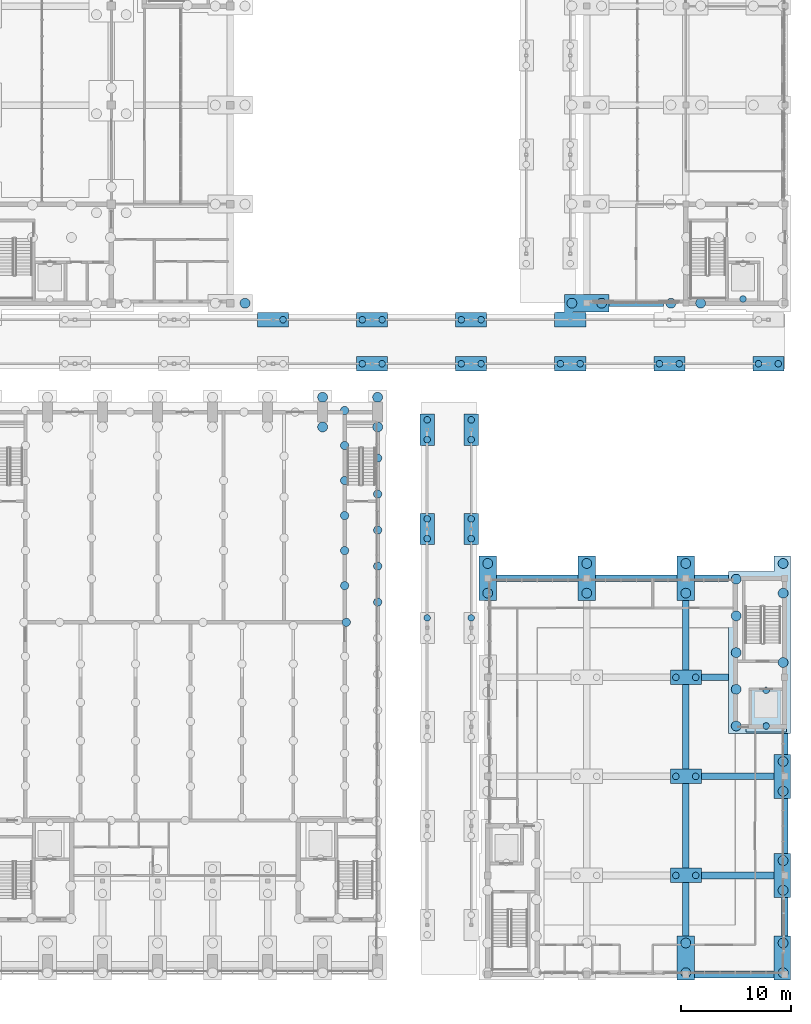
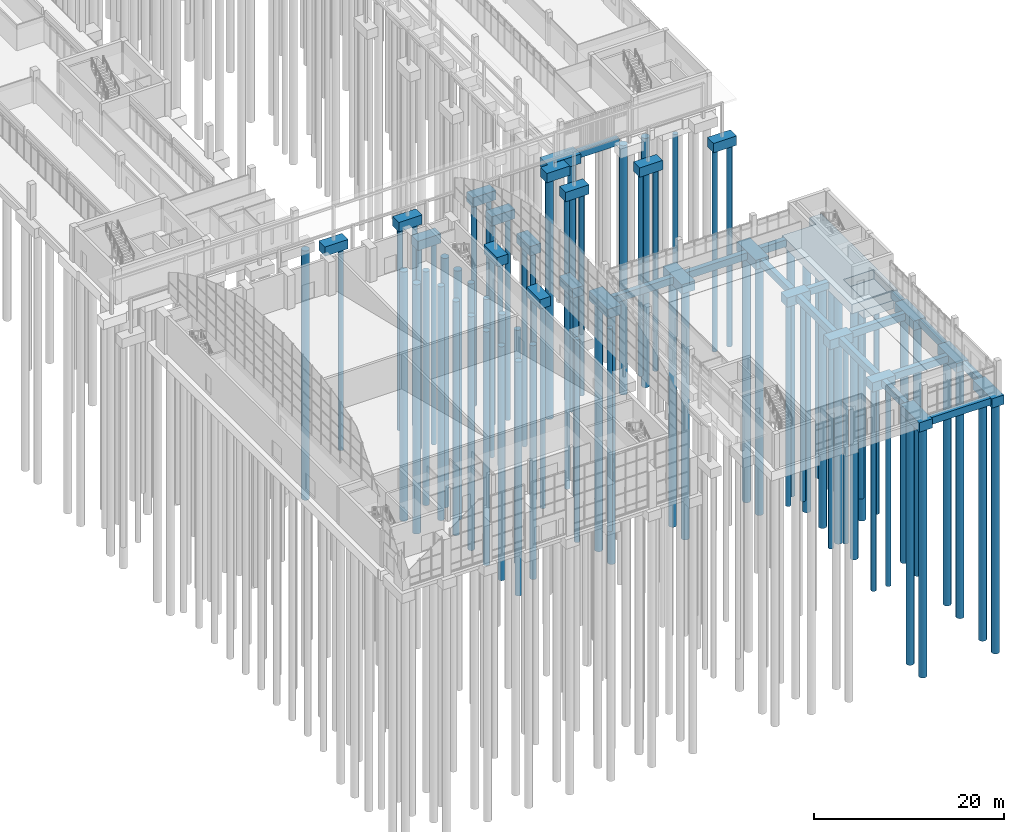
# One storey, part 3 of 106: 77 piles, 40 footings.
"""IFC4 building model written with IfcOpenShell, lengths in metres."""

import ifcopenshell
import ifcopenshell.guid

model = None  # the IFC model being written
_history = None  # IfcOwnerHistory: only IFC2X3 demands one
_inside = {}  # id of a spatial element -> (the spatial element, [elements in it])
_under = {}  # id of a project, library or spatial element -> (it, [spatial elements below it])
_declared = {}  # id of a project -> (the project, [libraries it declares])
_typed = {}  # id of a type object -> (the type object, [elements of that type])
_made_of = {}  # id of a material, layer set ... -> (it, [elements and type objects made of it])


def new_model(schema):
    """Start an empty IFC model of exactly this schema.

    Asked for "IFC4X3", IfcOpenShell would pick the latest addendum, in which some entities
    have other attributes; the version numbers below select the first issue.
    IFC2X3 requires an IfcOwnerHistory on every rooted entity: one is made here for all.
    """
    global model, _history
    if schema == "IFC4X3":
        model = ifcopenshell.file(schema_version=(4, 3, 0, 0))
    else:
        model = ifcopenshell.file(schema=schema)
    _inside.clear()
    _under.clear()
    _declared.clear()
    _typed.clear()
    _made_of.clear()
    _history = None
    if model.schema == "IFC2X3":
        org = make("IfcOrganization", Name="unknown")
        user = make(
            "IfcPersonAndOrganization",
            ThePerson=make("IfcPerson", FamilyName="unknown"),
            TheOrganization=org,
        )
        app = make(
            "IfcApplication",
            ApplicationDeveloper=org,
            Version="unknown",
            ApplicationFullName="unknown",
            ApplicationIdentifier="unknown",
        )
        _history = make(
            "IfcOwnerHistory",
            OwningUser=user,
            OwningApplication=app,
            ChangeAction="ADDED",
            CreationDate=0,
        )
    return model


def make(cls, **values):
    """One entity of the class cls with the attributes given. An attribute that is None is left unset."""
    return model.create_entity(
        cls, **{name: value for name, value in values.items() if value is not None}
    )


def rooted(cls, **values):
    """An entity with a GlobalId (a new one), such as an element, a storey or a relation."""
    return make(cls, GlobalId=ifcopenshell.guid.new(), OwnerHistory=_history, **values)


def si_unit(unit_type, name, prefix=None):
    """IfcSIUnit, for example si_unit("LENGTHUNIT", "METRE", prefix="MILLI")."""
    return make("IfcSIUnit", UnitType=unit_type, Prefix=prefix, Name=name)


def assignment(units):
    """IfcUnitAssignment: the units of a project."""
    return None if units is None else make("IfcUnitAssignment", Units=units)


def point(xyz):
    """IfcCartesianPoint."""
    return None if xyz is None else make("IfcCartesianPoint", Coordinates=xyz)


def direction(xyz):
    """IfcDirection."""
    return None if xyz is None else make("IfcDirection", DirectionRatios=xyz)


def frame(location, z_axis=None, x_axis=None):
    """IfcAxis2Placement3D, a coordinate frame: its origin and axes. An axis left out is left unset."""
    return make(
        "IfcAxis2Placement3D",
        Location=point(location),
        Axis=direction(z_axis),
        RefDirection=direction(x_axis),
    )


def frame_2d(location, x_axis=None):
    """IfcAxis2Placement2D, a coordinate frame in the plane: its origin and x axis."""
    return make(
        "IfcAxis2Placement2D", Location=point(location), RefDirection=direction(x_axis)
    )


def origin():
    """The frame at (0, 0, 0) with its axes left unset."""
    return frame((0.0, 0.0, 0.0))


def origin_2d():
    """The frame at (0, 0) in the plane with its x axis left unset."""
    return frame_2d((0.0, 0.0))


def place(relative_to, where):
    """IfcLocalPlacement: puts the frame where relative to a parent placement (None: the world)."""
    return make(
        "IfcLocalPlacement", PlacementRelTo=relative_to, RelativePlacement=where
    )


def context(
    kind, dimensions, precision=None, world=None, true_north=None, identifier=None
):
    """IfcGeometricRepresentationContext, for example the 3D "Model" context."""
    return make(
        "IfcGeometricRepresentationContext",
        ContextIdentifier=identifier,
        ContextType=kind,
        CoordinateSpaceDimension=dimensions,
        Precision=precision,
        WorldCoordinateSystem=world,
        TrueNorth=true_north,
    )


def subcontext(parent, identifier, kind, view, scale=None):
    """IfcGeometricRepresentationSubContext, for example "Body" below "Model"."""
    return make(
        "IfcGeometricRepresentationSubContext",
        ContextIdentifier=identifier,
        ContextType=kind,
        ParentContext=parent,
        TargetScale=scale,
        TargetView=view,
    )


def project(units=None, contexts=None):
    """IfcProject with its units and contexts."""
    return rooted(
        "IfcProject",
        Name="project",
        RepresentationContexts=contexts,
        UnitsInContext=assignment(units),
    )


def spatial(cls, under=None, at=None, **own):
    """A site, building, storey or space (cls), placed at a placement, below another one or the project."""
    s = rooted(cls, ObjectPlacement=at, **own)
    if under is not None:
        _under.setdefault(under.id(), (under, []))[1].append(s)
    return s


def polyline(points):
    """IfcPolyline through the points."""
    return make("IfcPolyline", Points=[point(p) for p in points])


def profile(cls, at=None, kind="AREA", **sizes):
    """A parametric profile (cls). Its sizes go by their IFC names, for example OverallWidth=200.0."""
    return make(cls, ProfileType=kind, Position=at, **sizes)


def circle(**sizes):
    """IfcCircleProfileDef."""
    return profile("IfcCircleProfileDef", **sizes)


def outline(outer, holes=None, kind="AREA"):
    """IfcArbitraryClosedProfileDef: a profile drawn as a closed curve; with holes, ...WithVoids."""
    if holes is None:
        return make("IfcArbitraryClosedProfileDef", ProfileType=kind, OuterCurve=outer)
    return make(
        "IfcArbitraryProfileDefWithVoids",
        ProfileType=kind,
        OuterCurve=outer,
        InnerCurves=holes,
    )


def extrude(swept, where, along, depth):
    """IfcExtrudedAreaSolid: the profile swept, set in the frame where, extruded along a direction by depth."""
    return make(
        "IfcExtrudedAreaSolid",
        SweptArea=swept,
        Position=where,
        ExtrudedDirection=direction(along),
        Depth=depth,
    )


def shape(context_of_items, identifier, shape_type, items):
    """IfcShapeRepresentation: the items that make up one representation, for example the "Body"."""
    return make(
        "IfcShapeRepresentation",
        ContextOfItems=context_of_items,
        RepresentationIdentifier=identifier,
        RepresentationType=shape_type,
        Items=items,
    )


def material(Name=None, Category=None):
    """IfcMaterial."""
    return make("IfcMaterial", Name=Name, Category=Category)


def material_profile(
    of_material, cross_section, Name=None, Category=None, Priority=None
):
    """IfcMaterialProfile: a cross section and its material."""
    return make(
        "IfcMaterialProfile",
        Name=Name,
        Material=of_material,
        Profile=cross_section,
        Priority=Priority,
        Category=Category,
    )


def profile_set(profiles, Name=None, composite=None):
    """IfcMaterialProfileSet."""
    return make(
        "IfcMaterialProfileSet",
        Name=Name,
        MaterialProfiles=profiles,
        CompositeProfile=composite,
    )


def made_of(thing, what):
    """Note that an element or type object is made of a material, layer set ...; save() writes the relation."""
    if what is not None:
        _made_of.setdefault(what.id(), (what, []))[1].append(thing)
    return thing


def type_object(cls, material=None, **own):
    """A type object (cls), such as IfcWallType, which elements share."""
    return made_of(rooted(cls, **own), material)


def element(
    cls,
    number,
    at=None,
    inside=None,
    cuts=None,
    type_object=None,
    material=None,
    context=None,
    identifier="Body",
    shape_type=None,
    held_by="IfcProductDefinitionShape",
    body=None,
    shapes=None,
    **own,
):
    """One element of the class cls, such as IfcWall. Its Tag is "e" and its number.

    at: its placement. inside: the storey or other place that contains it. cuts: it is an
    opening in that element (IfcRelVoidsElement). A single representation is given by context,
    identifier, shape_type and body (its items); several are given by shapes. held_by: the class
    of the entity that holds the representations. save() writes the other relations.
    """
    e = rooted(cls, Tag="e%d" % number, ObjectPlacement=at, **own)
    if body is not None:
        shapes = [shape(context, identifier, shape_type, body)]
    if shapes is not None:
        e.Representation = make(held_by, Representations=shapes)
    if inside is not None:
        _inside.setdefault(inside.id(), (inside, []))[1].append(e)
    if cuts is not None:
        rooted(
            "IfcRelVoidsElement", RelatingBuildingElement=cuts, RelatedOpeningElement=e
        )
    if type_object is not None:
        _typed.setdefault(type_object.id(), (type_object, []))[1].append(e)
    return made_of(e, material)


def aggregate(whole, parts):
    """IfcRelAggregates: a whole, such as a stair, and the parts it consists of."""
    return rooted("IfcRelAggregates", RelatingObject=whole, RelatedObjects=parts)


def save(model, path):
    """Write the relations noted so far, then the file.

    IfcRelAggregates (storeys below a building ...), IfcRelContainedInSpatialStructure (elements
    in a storey), IfcRelDefinesByType, IfcRelAssociatesMaterial and IfcRelDeclares: one each for
    every whole, place, type object, material and project.
    """
    for whole, parts in _under.values():
        aggregate(whole, parts)
    for where, things in _inside.values():
        rooted(
            "IfcRelContainedInSpatialStructure",
            RelatedElements=things,
            RelatingStructure=where,
        )
    for kind, things in _typed.values():
        rooted("IfcRelDefinesByType", RelatedObjects=things, RelatingType=kind)
    for what, things in _made_of.values():
        rooted("IfcRelAssociatesMaterial", RelatedObjects=things, RelatingMaterial=what)
    for by, libraries in _declared.values():
        rooted("IfcRelDeclares", RelatingContext=by, RelatedDefinitions=libraries)
    model.write(path)


model = new_model("IFC4")

# Units and contexts
model_context = context("Model", 3, precision=1e-05, world=origin(), true_north=direction((0.0, 1.0)))
body_context = subcontext(model_context, "Body", "Model", "MODEL_VIEW")
ifc_project = project(units=[si_unit("LENGTHUNIT", "METRE"), si_unit("AREAUNIT", "SQUARE_METRE"), si_unit("VOLUMEUNIT", "CUBIC_METRE"), si_unit("PLANEANGLEUNIT", "RADIAN"), si_unit("MASSUNIT", "GRAM", prefix="KILO")], contexts=[model_context])

# Site, building, storey
site_placement = place(None, origin())
site = spatial("IfcSite", under=ifc_project, at=site_placement, CompositionType="ELEMENT")
building_placement = place(site_placement, origin())
building = spatial("IfcBuilding", under=site, at=building_placement, Name="Merrow Basin Faculty of Sciences", CompositionType="ELEMENT")
storey_placement = place(building_placement, origin())
storey = spatial("IfcBuildingStorey", under=building, at=storey_placement, Name="L00", CompositionType="ELEMENT", Elevation=0.0)

# Piles
ifc_material_1 = material(Name="Concrete C40/50", Category="concrete")
ifc_material_profile_1 = material_profile(ifc_material_1, circle(Radius=0.300048828125, at=origin_2d()))
ifc_profile_set_1 = profile_set([ifc_material_profile_1], Name="Concrete C40/50")
pile_type_1 = type_object("IfcPileType", Name="Bored pile 600 Concrete C40/50", PredefinedType="BORED", material=ifc_profile_set_1)
for number, where, z_axis, x_axis, name in (
    (1, (26.39990234375, 59.5, -1.39990234375), (0.0, 0.0, -1.0), (1.0, 0.0, 0.0), "BP 223"),
    (2, (33.60009765625, 55.5, -1.39990234375), (0.0, 0.0, -1.0), (1.0, 0.0, 0.0), "BP 270"),
    (3, (33.60009765625, 59.5, -1.39990234375), (0.0, 0.0, -1.0), (1.0, 0.0, 0.0), "BP 271"),
    (4, (35.39990234375, 55.5, -1.39990234375), (0.0, 0.0, -1.0), (1.0, 0.0, 0.0), "BP 296"),
    (5, (35.39990234375, 59.5, -1.39990234375), (0.0, 0.0, -1.0), (1.0, 0.0, 0.0), "BP 297"),
    (6, (39.5, 32.39990234375, -1.39990234375), (0.0, 0.0, -1.0), (1.0, 0.0, 0.0), "BP 316"),
    (7, (39.5, 39.60009765625, -1.39990234375), (0.0, 0.0, -1.0), (1.0, 0.0, 0.0), "BP 317"),
    (8, (39.5, 41.39990234375, -1.39990234375), (0.0, 0.0, -1.0), (1.0, 0.0, 0.0), "BP 318"),
    (9, (39.5, 48.60009765625, -1.39990234375), (0.0, 0.0, -1.0), (1.0, 0.0, 0.0), "BP 319"),
    (10, (39.5, 50.39990234375, -1.39990234375), (0.0, 0.0, -1.0), (1.0, 0.0, 0.0), "BP 320"),
    (11, (42.60009765625, 55.5, -1.39990234375), (0.0, 0.0, -1.0), (1.0, 0.0, 0.0), "BP 321"),
    (12, (42.60009765625, 59.5, -1.39990234375), (0.0, 0.0, -1.0), (1.0, 0.0, 0.0), "BP 322"),
    (13, (43.5, 32.39990234375, -1.39990234375), (0.0, 0.0, -1.0), (1.0, 0.0, 0.0), "BP 333"),
    (14, (43.5, 39.60009765625, -1.39990234375), (0.0, 0.0, -1.0), (1.0, 0.0, 0.0), "BP 334"),
    (15, (43.5, 41.39990234375, -1.39990234375), (0.0, 0.0, -1.0), (1.0, 0.0, 0.0), "BP 335"),
    (16, (43.5, 48.60009765625, -1.39990234375), (0.0, 0.0, -1.0), (1.0, 0.0, 0.0), "BP 336"),
    (17, (43.5, 50.39990234375, -1.39990234375), (0.0, 0.0, -1.0), (1.0, 0.0, 0.0), "BP 337"),
    (18, (44.39990234375, 55.5, -1.39990234375), (0.0, 0.0, -1.0), (1.0, 0.0, 0.0), "BP 341"),
    (19, (44.39990234375, 59.5, -1.39990234375), (0.0, 0.0, -1.0), (1.0, 0.0, 0.0), "BP 342"),
    (20, (51.60009765625, 55.5, -1.39990234375), (0.0, 0.0, -1.0), (1.0, 0.0, 0.0), "BP 380"),
    (21, (53.39990234375, 55.5, -1.39990234375), (0.0, 0.0, -1.0), (1.0, 0.0, 0.0), "BP 411"),
    (22, (60.60009765625, 55.5, -1.39990234375), (0.0, 0.0, -1.0), (1.0, 0.0, 0.0), "BP 436"),
    (23, (62.10009765625, 9.0, -1.39990234375), (0.0, 0.0, -1.0), (1.0, 0.0, 0.0), "BP 446"),
    (24, (62.10009765625, 18.0, -1.39990234375), (0.0, 0.0, -1.0), (1.0, 0.0, 0.0), "BP 447"),
    (25, (62.10009765625, 27.0, -1.39990234375), (0.0, 0.0, -1.0), (1.0, 0.0, 0.0), "BP 448"),
    (26, (62.39990234375, 55.5, -1.39990234375), (0.0, 0.0, -1.0), (1.0, 0.0, 0.0), "BP 449"),
    (27, (63.89990234375, 9.0, -1.39990234375), (0.0, 0.0, -1.0), (1.0, 0.0, 0.0), "BP 460"),
    (28, (63.89990234375, 18.0, -1.39990234375), (0.0, 0.0, -1.0), (1.0, 0.0, 0.0), "BP 461"),
    (29, (63.89990234375, 27.0, -1.39990234375), (0.0, 0.0, -1.0), (1.0, 0.0, 0.0), "BP 462"),
    (30, (69.60009765625, 55.5, -1.39990234375), (0.0, 0.0, -1.0), (1.0, 0.0, 0.0), "BP 489"),
    (31, (71.39990234375, 55.5, -1.39990234375), (0.0, 0.0, -1.0), (1.0, 0.0, 0.0), "BP 491"),
    (32, (68.199951171875, 61.3798828125, -2.60009765625), (0.0, 0.0, -1.0), (1.0, 0.0, 0.0), "BP pit 532"),
    (33, (70.300048828125, 22.580078125, -2.60009765625), (0.0, 0.0, -1.0), (1.0, 0.0, 0.0), "BP pit 538"),
    (34, (70.300048828125, 25.820068359375, -2.60009765625), (0.0, 0.0, -1.0), (1.0, 0.0, 0.0), "BP pit 539"),
):
    element("IfcPile", number, at=place(storey_placement, frame(where, z_axis=z_axis, x_axis=x_axis)), inside=storey, type_object=pile_type_1, Name=name, PredefinedType="BORED", context=body_context, shape_type="SweptSolid", body=[
        extrude(circle(Radius=0.300048828125, at=origin_2d()), origin(), (0.0, 0.0, 1.0), 26.10009765625),
    ])
ifc_material_2 = material(Name="Concrete C40/50", Category="concrete")
ifc_material_profile_2 = material_profile(ifc_material_2, circle(Radius=0.375, at=origin_2d()))
ifc_profile_set_2 = profile_set([ifc_material_profile_2], Name="Concrete C40/50")
pile_type_2 = type_object("IfcPileType", Name="Bored pile 750 Concrete C40/50", PredefinedType="BORED", material=ifc_profile_set_2)
for number, where, z_axis, x_axis, name in (
    (35, (32.0, 35.3330078125, -1.39990234375), (0.0, 0.0, -1.0), (1.0, 0.0, 0.0), "BP 261"),
    (36, (32.0, 38.51708984375, -1.39990234375), (0.0, 0.0, -1.0), (1.0, 0.0, 0.0), "BP 262"),
    (37, (32.0, 41.699951171875, -1.39990234375), (0.0, 0.0, -1.0), (1.0, 0.0, 0.0), "BP 263"),
    (38, (32.0, 44.883056640625, -1.39990234375), (0.0, 0.0, -1.0), (1.0, 0.0, 0.0), "BP 264"),
    (39, (32.0, 48.06689453125, -1.39990234375), (0.0, 0.0, -1.0), (1.0, 0.0, 0.0), "BP 265"),
    (40, (32.0, 51.25, -1.39990234375), (0.0, 0.0, -1.0), (1.0, 0.0, 0.0), "BP 266"),
    (41, (32.14990234375, 32.0, -1.39990234375), (0.0, 0.0, -1.0), (1.0, 0.0, 0.0), "BP 267"),
    (42, (35.0, 33.8359375, -1.39990234375), (0.0, 0.0, -1.0), (1.0, 0.0, 0.0), "BP 289"),
    (43, (35.0, 37.10888671875, -1.39990234375), (0.0, 0.0, -1.0), (1.0, 0.0, 0.0), "BP 290"),
    (44, (35.0, 40.382080078125, -1.39990234375), (0.0, 0.0, -1.0), (1.0, 0.0, 0.0), "BP 291"),
    (45, (35.0, 43.655029296875, -1.39990234375), (0.0, 0.0, -1.0), (1.0, 0.0, 0.0), "BP 292"),
    (46, (35.0, 46.927001953125, -1.39990234375), (0.0, 0.0, -1.0), (1.0, 0.0, 0.0), "BP 293"),
):
    element("IfcPile", number, at=place(storey_placement, frame(where, z_axis=z_axis, x_axis=x_axis)), inside=storey, type_object=pile_type_2, Name=name, PredefinedType="BORED", context=body_context, shape_type="SweptSolid", body=[
        extrude(circle(Radius=0.375, at=origin_2d()), origin(), (0.0, 0.0, 1.0), 30.10009765625),
    ])
ifc_material_3 = material(Name="Concrete C40/50", Category="concrete")
ifc_material_profile_3 = material_profile(ifc_material_3, circle(Radius=0.449951171875, at=origin_2d()))
ifc_profile_set_3 = profile_set([ifc_material_profile_3], Name="Concrete C40/50")
pile_type_3 = type_object("IfcPileType", Name="Bored pile 900 Concrete C40/50", PredefinedType="BORED", material=ifc_profile_set_3)
for number, where, z_axis, x_axis, name in (
    (47, (22.949951171875, 61.0, -1.39990234375), (0.0, 0.0, -1.0), (1.0, 0.0, 0.0), "BP 199"),
    (48, (30.0, 49.75, -1.39990234375), (0.0, 0.0, -1.0), (1.0, 0.0, 0.0), "BP 251"),
    (49, (30.0, 52.449951171875, -1.39990234375), (0.0, 0.0, -1.0), (1.0, 0.0, 0.0), "BP 252"),
    (50, (35.0, 49.75, -1.39990234375), (0.0, 0.0, -1.0), (1.0, 0.0, 0.0), "BP 294"),
    (51, (35.0, 52.449951171875, -1.39990234375), (0.0, 0.0, -1.0), (1.0, 0.0, 0.0), "BP 295"),
    (52, (45.0, 34.64990234375, -1.39990234375), (0.0, 0.0, -1.0), (1.0, 0.0, 0.0), "BP 350"),
    (53, (45.0, 37.35009765625, -1.39990234375), (0.0, 0.0, -1.0), (1.0, 0.0, 0.0), "BP 351"),
    (54, (52.64990234375, 61.0, -1.39990234375), (0.0, 0.0, -1.0), (1.0, 0.0, 0.0), "BP 399"),
    (55, (54.0, 34.64990234375, -1.39990234375), (0.0, 0.0, -1.0), (1.0, 0.0, 0.0), "BP 418"),
    (56, (54.0, 37.35009765625, -1.39990234375), (0.0, 0.0, -1.0), (1.0, 0.0, 0.0), "BP 419"),
    (57, (55.35009765625, 61.0, -1.39990234375), (0.0, 0.0, -1.0), (1.0, 0.0, 0.0), "BP 423"),
    (58, (61.64990234375, 61.0, -1.39990234375), (0.0, 0.0, -1.0), (1.0, 0.0, 0.0), "BP 437"),
    (59, (63.0, 0.159912109375, -1.39990234375), (0.0, 0.0, -1.0), (1.0, 0.0, 0.0), "BP 450"),
    (60, (63.0, 2.860107421875, -1.39990234375), (0.0, 0.0, -1.0), (1.0, 0.0, 0.0), "BP 451"),
    (61, (63.0, 34.64990234375, -1.39990234375), (0.0, 0.0, -1.0), (1.0, 0.0, 0.0), "BP 452"),
    (62, (63.0, 37.35009765625, -1.39990234375), (0.0, 0.0, -1.0), (1.0, 0.0, 0.0), "BP 453"),
    (63, (64.35009765625, 61.0, -1.39990234375), (0.0, 0.0, -1.0), (1.0, 0.0, 0.0), "BP 463"),
    (64, (67.580078125, 22.580078125, -1.39990234375), (0.0, 0.0, -1.0), (1.0, 0.0, 0.0), "BP 475"),
    (65, (67.580078125, 25.9150390625, -1.39990234375), (0.0, 0.0, -1.0), (1.0, 0.0, 0.0), "BP 476"),
    (66, (67.580078125, 29.25, -1.39990234375), (0.0, 0.0, -1.0), (1.0, 0.0, 0.0), "BP 477"),
    (67, (67.580078125, 32.5849609375, -1.39990234375), (0.0, 0.0, -1.0), (1.0, 0.0, 0.0), "BP 478"),
    (68, (67.580078125, 35.919921875, -1.39990234375), (0.0, 0.0, -1.0), (1.0, 0.0, 0.0), "BP 479"),
    (69, (71.840087890625, 0.159912109375, -1.39990234375), (0.0, 0.0, -1.0), (1.0, 0.0, 0.0), "BP 498"),
    (70, (71.840087890625, 2.860107421875, -1.39990234375), (0.0, 0.0, -1.0), (1.0, 0.0, 0.0), "BP 499"),
    (71, (71.840087890625, 7.64990234375, -1.39990234375), (0.0, 0.0, -1.0), (1.0, 0.0, 0.0), "BP 500"),
    (72, (71.840087890625, 10.35009765625, -1.39990234375), (0.0, 0.0, -1.0), (1.0, 0.0, 0.0), "BP 501"),
    (73, (71.840087890625, 16.64990234375, -1.39990234375), (0.0, 0.0, -1.0), (1.0, 0.0, 0.0), "BP 502"),
    (74, (71.840087890625, 19.35009765625, -1.39990234375), (0.0, 0.0, -1.0), (1.0, 0.0, 0.0), "BP 503"),
    (75, (71.840087890625, 28.35009765625, -1.39990234375), (0.0, 0.0, -1.0), (1.0, 0.0, 0.0), "BP 504"),
    (76, (71.840087890625, 34.64990234375, -1.39990234375), (0.0, 0.0, -1.0), (1.0, 0.0, 0.0), "BP 505"),
    (77, (71.840087890625, 37.35009765625, -1.39990234375), (0.0, 0.0, -1.0), (1.0, 0.0, 0.0), "BP 506"),
):
    element("IfcPile", number, at=place(storey_placement, frame(where, z_axis=z_axis, x_axis=x_axis)), inside=storey, type_object=pile_type_3, Name=name, PredefinedType="BORED", context=body_context, shape_type="SweptSolid", body=[
        extrude(circle(Radius=0.449951171875, at=origin_2d()), origin(), (0.0, 0.0, 1.0), 32.10009765625),
    ])

# Footings
ifc_material_4 = material(Name="Concrete C40/50", Category="concrete")
footing_type_1 = type_object("IfcFootingType", Name="Ground beam 600x900 Concrete C40/50", PredefinedType="FOOTING_BEAM", material=ifc_material_4)
footing_1_placement = place(storey_placement, frame((0.0, 0.0, -1.199951171875)))
element("IfcFooting", 78, at=footing_1_placement, inside=storey, type_object=footing_type_1, Name="GB 032", PredefinedType="FOOTING_BEAM", context=body_context, shape_type="SweptSolid", body=[
    extrude(outline(polyline([(56.010009765625, 60.699951171875), (60.989990234375, 60.699951171875), (60.989990234375, 61.300048828125), (56.010009765625, 61.300048828125), (56.010009765625, 60.699951171875)])), origin(), (0.0, 0.0, 1.0), 0.89990234375),
])
footing_2_placement = place(storey_placement, frame((0.0, 0.0, -1.199951171875)))
element("IfcFooting", 79, at=footing_2_placement, inside=storey, type_object=footing_type_1, Name="GB 075", PredefinedType="FOOTING_BEAM", context=body_context, shape_type="SweptSolid", body=[
    extrude(outline(polyline([(63.81005859375, -0.300048828125), (71.030029296875, -0.300048828125), (71.030029296875, 0.300048828125), (63.81005859375, 0.300048828125), (63.81005859375, -0.300048828125)])), origin(), (0.0, 0.0, 1.0), 0.89990234375),
])
footing_3_placement = place(storey_placement, frame((0.0, 0.0, -1.199951171875)))
element("IfcFooting", 80, at=footing_3_placement, inside=storey, type_object=footing_type_1, Name="GB 078", PredefinedType="FOOTING_BEAM", context=body_context, shape_type="SweptSolid", body=[
    extrude(outline(polyline([(64.409912109375, 8.699951171875), (71.030029296875, 8.699951171875), (71.030029296875, 9.300048828125), (64.409912109375, 9.300048828125), (64.409912109375, 8.699951171875)])), origin(), (0.0, 0.0, 1.0), 0.89990234375),
])
footing_4_placement = place(storey_placement, frame((0.0, 0.0, -1.199951171875)))
element("IfcFooting", 81, at=footing_4_placement, inside=storey, type_object=footing_type_1, Name="GB 081", PredefinedType="FOOTING_BEAM", context=body_context, shape_type="SweptSolid", body=[
    extrude(outline(polyline([(64.409912109375, 17.699951171875), (71.030029296875, 17.699951171875), (71.030029296875, 18.300048828125), (64.409912109375, 18.300048828125), (64.409912109375, 17.699951171875)])), origin(), (0.0, 0.0, 1.0), 0.89990234375),
])
footing_5_placement = place(storey_placement, frame((0.0, 0.0, -1.199951171875)))
element("IfcFooting", 82, at=footing_5_placement, inside=storey, type_object=footing_type_1, Name="GB 084", PredefinedType="FOOTING_BEAM", context=body_context, shape_type="SweptSolid", body=[
    extrude(outline(polyline([(64.409912109375, 26.699951171875), (66.89990234375, 26.699951171875), (66.89990234375, 27.300048828125), (64.409912109375, 27.300048828125), (64.409912109375, 26.699951171875)])), origin(), (0.0, 0.0, 1.0), 0.89990234375),
])
footing_6_placement = place(storey_placement, frame((0.0, 0.0, -1.199951171875)))
element("IfcFooting", 83, at=footing_6_placement, inside=storey, type_object=footing_type_1, Name="GB 085", PredefinedType="FOOTING_BEAM", context=body_context, shape_type="SweptSolid", body=[
    extrude(outline(polyline([(45.81005859375, 35.699951171875), (53.18994140625, 35.699951171875), (53.18994140625, 36.300048828125), (45.81005859375, 36.300048828125), (45.81005859375, 35.699951171875)])), origin(), (0.0, 0.0, 1.0), 0.89990234375),
])
footing_7_placement = place(storey_placement, frame((0.0, 0.0, -1.199951171875)))
element("IfcFooting", 84, at=footing_7_placement, inside=storey, type_object=footing_type_1, Name="GB 086", PredefinedType="FOOTING_BEAM", context=body_context, shape_type="SweptSolid", body=[
    extrude(outline(polyline([(54.81005859375, 35.699951171875), (62.18994140625, 35.699951171875), (62.18994140625, 36.300048828125), (54.81005859375, 36.300048828125), (54.81005859375, 35.699951171875)])), origin(), (0.0, 0.0, 1.0), 0.89990234375),
])
footing_8_placement = place(storey_placement, frame((0.0, 0.0, -1.199951171875)))
element("IfcFooting", 85, at=footing_8_placement, inside=storey, type_object=footing_type_1, Name="GB 087", PredefinedType="FOOTING_BEAM", context=body_context, shape_type="SweptSolid", body=[
    extrude(outline(polyline([(63.81005859375, 35.699951171875), (66.89990234375, 35.699951171875), (66.89990234375, 36.300048828125), (63.81005859375, 36.300048828125), (63.81005859375, 35.699951171875)])), origin(), (0.0, 0.0, 1.0), 0.89990234375),
])
footing_9_placement = place(storey_placement, frame((0.0, 0.0, -1.199951171875)))
element("IfcFooting", 86, at=footing_9_placement, inside=storey, type_object=footing_type_1, Name="GB 095", PredefinedType="FOOTING_BEAM", context=body_context, shape_type="SweptSolid", body=[
    extrude(outline(polyline([(62.699951171875, 3.52001953125), (63.300048828125, 3.52001953125), (63.300048828125, 8.340087890625), (62.699951171875, 8.340087890625), (62.699951171875, 3.52001953125)])), origin(), (0.0, 0.0, 1.0), 0.89990234375),
])
footing_10_placement = place(storey_placement, frame((0.0, 0.0, -1.199951171875)))
element("IfcFooting", 87, at=footing_10_placement, inside=storey, type_object=footing_type_1, Name="GB 096", PredefinedType="FOOTING_BEAM", context=body_context, shape_type="SweptSolid", body=[
    extrude(outline(polyline([(62.699951171875, 9.659912109375), (63.300048828125, 9.659912109375), (63.300048828125, 17.340087890625), (62.699951171875, 17.340087890625), (62.699951171875, 9.659912109375)])), origin(), (0.0, 0.0, 1.0), 0.89990234375),
])
footing_11_placement = place(storey_placement, frame((0.0, 0.0, -1.199951171875)))
element("IfcFooting", 88, at=footing_11_placement, inside=storey, type_object=footing_type_1, Name="GB 097", PredefinedType="FOOTING_BEAM", context=body_context, shape_type="SweptSolid", body=[
    extrude(outline(polyline([(62.699951171875, 18.659912109375), (63.300048828125, 18.659912109375), (63.300048828125, 26.340087890625), (62.699951171875, 26.340087890625), (62.699951171875, 18.659912109375)])), origin(), (0.0, 0.0, 1.0), 0.89990234375),
])
footing_12_placement = place(storey_placement, frame((0.0, 0.0, -1.199951171875)))
element("IfcFooting", 89, at=footing_12_placement, inside=storey, type_object=footing_type_1, Name="GB 098", PredefinedType="FOOTING_BEAM", context=body_context, shape_type="SweptSolid", body=[
    extrude(outline(polyline([(62.699951171875, 27.659912109375), (63.300048828125, 27.659912109375), (63.300048828125, 33.989990234375), (62.699951171875, 33.989990234375), (62.699951171875, 27.659912109375)])), origin(), (0.0, 0.0, 1.0), 0.89990234375),
])
footing_13_placement = place(storey_placement, frame((0.0, 0.0, -1.199951171875)))
element("IfcFooting", 90, at=footing_13_placement, inside=storey, type_object=footing_type_1, Name="GB 099", PredefinedType="FOOTING_BEAM", context=body_context, shape_type="SweptSolid", body=[
    extrude(outline(polyline([(71.699951171875, 3.52001953125), (72.300048828125, 3.52001953125), (72.300048828125, 6.989990234375), (71.699951171875, 6.989990234375), (71.699951171875, 3.52001953125)])), origin(), (0.0, 0.0, 1.0), 0.89990234375),
])
footing_14_placement = place(storey_placement, frame((0.0, 0.0, -1.199951171875)))
element("IfcFooting", 91, at=footing_14_placement, inside=storey, type_object=footing_type_1, Name="GB 100", PredefinedType="FOOTING_BEAM", context=body_context, shape_type="SweptSolid", body=[
    extrude(outline(polyline([(71.699951171875, 11.010009765625), (72.300048828125, 11.010009765625), (72.300048828125, 15.989990234375), (71.699951171875, 15.989990234375), (71.699951171875, 11.010009765625)])), origin(), (0.0, 0.0, 1.0), 0.89990234375),
])
footing_15_placement = place(storey_placement, frame((0.0, 0.0, -1.199951171875)))
element("IfcFooting", 92, at=footing_15_placement, inside=storey, type_object=footing_type_1, Name="GB 101", PredefinedType="FOOTING_BEAM", context=body_context, shape_type="SweptSolid", body=[
    extrude(outline(polyline([(71.699951171875, 20.010009765625), (72.300048828125, 20.010009765625), (72.300048828125, 21.89990234375), (71.699951171875, 21.89990234375), (71.699951171875, 20.010009765625)])), origin(), (0.0, 0.0, 1.0), 0.89990234375),
])
ifc_material_5 = material(Name="Concrete C40/50", Category="concrete")
footing_type_2 = type_object("IfcFootingType", Name="Lift pit raft 3700x4300 Concrete C40/50", PredefinedType="PILE_CAP", material=ifc_material_5)
footing_16_placement = place(storey_placement, frame((0.0, 0.0, -2.699951171875)))
element("IfcFooting", 93, at=footing_16_placement, inside=storey, type_object=footing_type_2, Name="Lift pit raft 12", PredefinedType="PILE_CAP", context=body_context, shape_type="SweptSolid", body=[
    extrude(outline(polyline([(72.14990234375, 26.35009765625), (72.14990234375, 22.050048828125), (68.449951171875, 22.050048828125), (68.449951171875, 26.35009765625), (72.14990234375, 26.35009765625)])), origin(), (0.0, 0.0, 1.0), 1.199951171875),
])
ifc_material_6 = material(Name="Concrete C40/50", Category="concrete")
footing_type_3 = type_object("IfcFootingType", Name="Pile cap 1 piles 2820x1320 Concrete C40/50", PredefinedType="PILE_CAP", material=ifc_material_6)
footing_17_placement = place(storey_placement, frame((0.0, 0.0, -1.5)))
element("IfcFooting", 94, at=footing_17_placement, inside=storey, type_object=footing_type_3, Name="PC6 041", PredefinedType="PILE_CAP", context=body_context, shape_type="SweptSolid", body=[
    extrude(outline(polyline([(24.090087890625, 58.840087890625), (24.090087890625, 60.159912109375), (26.909912109375, 60.159912109375), (26.909912109375, 58.840087890625), (24.090087890625, 58.840087890625)])), origin(), (0.0, 0.0, 1.0), 1.199951171875),
])
ifc_material_7 = material(Name="Concrete C40/50", Category="concrete")
footing_type_4 = type_object("IfcFootingType", Name="Pile cap 2 piles 1320x2820 Concrete C40/50", PredefinedType="PILE_CAP", material=ifc_material_7)
footing_18_placement = place(storey_placement, frame((0.0, 0.0, -1.5)))
element("IfcFooting", 95, at=footing_18_placement, inside=storey, type_object=footing_type_4, Name="PC3 061", PredefinedType="PILE_CAP", context=body_context, shape_type="SweptSolid", body=[
    extrude(outline(polyline([(38.840087890625, 41.909912109375), (40.159912109375, 41.909912109375), (40.159912109375, 39.090087890625), (38.840087890625, 39.090087890625), (38.840087890625, 41.909912109375)])), origin(), (0.0, 0.0, 1.0), 1.199951171875),
])
footing_19_placement = place(storey_placement, frame((0.0, 0.0, -1.5)))
element("IfcFooting", 96, at=footing_19_placement, inside=storey, type_object=footing_type_4, Name="PC3 062", PredefinedType="PILE_CAP", context=body_context, shape_type="SweptSolid", body=[
    extrude(outline(polyline([(38.840087890625, 50.909912109375), (40.159912109375, 50.909912109375), (40.159912109375, 48.090087890625), (38.840087890625, 48.090087890625), (38.840087890625, 50.909912109375)])), origin(), (0.0, 0.0, 1.0), 1.199951171875),
])
footing_20_placement = place(storey_placement, frame((0.0, 0.0, -1.5)))
element("IfcFooting", 97, at=footing_20_placement, inside=storey, type_object=footing_type_4, Name="PC3 071", PredefinedType="PILE_CAP", context=body_context, shape_type="SweptSolid", body=[
    extrude(outline(polyline([(42.840087890625, 41.909912109375), (44.159912109375, 41.909912109375), (44.159912109375, 39.090087890625), (42.840087890625, 39.090087890625), (42.840087890625, 41.909912109375)])), origin(), (0.0, 0.0, 1.0), 1.199951171875),
])
footing_21_placement = place(storey_placement, frame((0.0, 0.0, -1.5)))
element("IfcFooting", 98, at=footing_21_placement, inside=storey, type_object=footing_type_4, Name="PC3 072", PredefinedType="PILE_CAP", context=body_context, shape_type="SweptSolid", body=[
    extrude(outline(polyline([(42.840087890625, 50.909912109375), (44.159912109375, 50.909912109375), (44.159912109375, 48.090087890625), (42.840087890625, 48.090087890625), (42.840087890625, 50.909912109375)])), origin(), (0.0, 0.0, 1.0), 1.199951171875),
])
ifc_material_8 = material(Name="Concrete C40/50", Category="concrete")
footing_type_5 = type_object("IfcFootingType", Name="Pile cap 2 piles 1470x4020 Concrete C40/50", PredefinedType="PILE_CAP", material=ifc_material_8)
footing_22_placement = place(storey_placement, frame((0.0, 0.0, -1.5)))
element("IfcFooting", 99, at=footing_22_placement, inside=storey, type_object=footing_type_5, Name="PC24 130", PredefinedType="PILE_CAP", context=body_context, shape_type="SweptSolid", body=[
    extrude(outline(polyline([(71.030029296875, 3.52001953125), (72.5, 3.52001953125), (72.5, -0.5), (71.030029296875, -0.5), (71.030029296875, 3.52001953125)])), origin(), (0.0, 0.0, 1.0), 1.199951171875),
])
footing_23_placement = place(storey_placement, frame((0.0, 0.0, -1.5)))
element("IfcFooting", 100, at=footing_23_placement, inside=storey, type_object=footing_type_5, Name="PC24 131", PredefinedType="PILE_CAP", context=body_context, shape_type="SweptSolid", body=[
    extrude(outline(polyline([(71.030029296875, 11.010009765625), (72.5, 11.010009765625), (72.5, 6.989990234375), (71.030029296875, 6.989990234375), (71.030029296875, 11.010009765625)])), origin(), (0.0, 0.0, 1.0), 1.199951171875),
])
footing_24_placement = place(storey_placement, frame((0.0, 0.0, -1.5)))
element("IfcFooting", 101, at=footing_24_placement, inside=storey, type_object=footing_type_5, Name="PC24 132", PredefinedType="PILE_CAP", context=body_context, shape_type="SweptSolid", body=[
    extrude(outline(polyline([(71.030029296875, 20.010009765625), (72.5, 20.010009765625), (72.5, 15.989990234375), (71.030029296875, 15.989990234375), (71.030029296875, 20.010009765625)])), origin(), (0.0, 0.0, 1.0), 1.199951171875),
])
ifc_material_9 = material(Name="Concrete C40/50", Category="concrete")
footing_type_6 = type_object("IfcFootingType", Name="Pile cap 2 piles 1620x4020 Concrete C40/50", PredefinedType="PILE_CAP", material=ifc_material_9)
footing_25_placement = place(storey_placement, frame((0.0, 0.0, -1.5)))
element("IfcFooting", 102, at=footing_25_placement, inside=storey, type_object=footing_type_6, Name="PC4 079", PredefinedType="PILE_CAP", context=body_context, shape_type="SweptSolid", body=[
    extrude(outline(polyline([(44.18994140625, 38.010009765625), (45.81005859375, 38.010009765625), (45.81005859375, 33.989990234375), (44.18994140625, 33.989990234375), (44.18994140625, 38.010009765625)])), origin(), (0.0, 0.0, 1.0), 1.199951171875),
])
footing_26_placement = place(storey_placement, frame((0.0, 0.0, -1.5)))
element("IfcFooting", 103, at=footing_26_placement, inside=storey, type_object=footing_type_6, Name="PC4 111", PredefinedType="PILE_CAP", context=body_context, shape_type="SweptSolid", body=[
    extrude(outline(polyline([(53.18994140625, 38.010009765625), (54.81005859375, 38.010009765625), (54.81005859375, 33.989990234375), (53.18994140625, 33.989990234375), (53.18994140625, 38.010009765625)])), origin(), (0.0, 0.0, 1.0), 1.199951171875),
])
footing_27_placement = place(storey_placement, frame((0.0, 0.0, -1.5)))
element("IfcFooting", 104, at=footing_27_placement, inside=storey, type_object=footing_type_6, Name="PC4 122", PredefinedType="PILE_CAP", context=body_context, shape_type="SweptSolid", body=[
    extrude(outline(polyline([(63.81005859375, 3.52001953125), (63.81005859375, -0.5), (62.18994140625, -0.5), (62.18994140625, 3.52001953125), (63.81005859375, 3.52001953125)])), origin(), (0.0, 0.0, 1.0), 1.199951171875),
])
footing_28_placement = place(storey_placement, frame((0.0, 0.0, -1.5)))
element("IfcFooting", 105, at=footing_28_placement, inside=storey, type_object=footing_type_6, Name="PC4 123", PredefinedType="PILE_CAP", context=body_context, shape_type="SweptSolid", body=[
    extrude(outline(polyline([(62.18994140625, 38.010009765625), (63.81005859375, 38.010009765625), (63.81005859375, 33.989990234375), (62.18994140625, 33.989990234375), (62.18994140625, 38.010009765625)])), origin(), (0.0, 0.0, 1.0), 1.199951171875),
])
ifc_material_10 = material(Name="Concrete C40/50", Category="concrete")
footing_type_7 = type_object("IfcFootingType", Name="Pile cap 2 piles 2820x1320 Concrete C40/50", PredefinedType="PILE_CAP", material=ifc_material_10)
footing_29_placement = place(storey_placement, frame((0.0, 0.0, -1.5)))
element("IfcFooting", 106, at=footing_29_placement, inside=storey, type_object=footing_type_7, Name="PC1 049", PredefinedType="PILE_CAP", context=body_context, shape_type="SweptSolid", body=[
    extrude(outline(polyline([(33.090087890625, 56.159912109375), (35.909912109375, 56.159912109375), (35.909912109375, 54.840087890625), (33.090087890625, 54.840087890625), (33.090087890625, 56.159912109375)])), origin(), (0.0, 0.0, 1.0), 1.199951171875),
])
footing_30_placement = place(storey_placement, frame((0.0, 0.0, -1.5)))
element("IfcFooting", 107, at=footing_30_placement, inside=storey, type_object=footing_type_7, Name="PC1 050", PredefinedType="PILE_CAP", context=body_context, shape_type="SweptSolid", body=[
    extrude(outline(polyline([(33.090087890625, 60.159912109375), (35.909912109375, 60.159912109375), (35.909912109375, 58.840087890625), (33.090087890625, 58.840087890625), (33.090087890625, 60.159912109375)])), origin(), (0.0, 0.0, 1.0), 1.199951171875),
])
footing_31_placement = place(storey_placement, frame((0.0, 0.0, -1.5)))
element("IfcFooting", 108, at=footing_31_placement, inside=storey, type_object=footing_type_7, Name="PC1 063", PredefinedType="PILE_CAP", context=body_context, shape_type="SweptSolid", body=[
    extrude(outline(polyline([(42.090087890625, 56.159912109375), (44.909912109375, 56.159912109375), (44.909912109375, 54.840087890625), (42.090087890625, 54.840087890625), (42.090087890625, 56.159912109375)])), origin(), (0.0, 0.0, 1.0), 1.199951171875),
])
footing_32_placement = place(storey_placement, frame((0.0, 0.0, -1.5)))
element("IfcFooting", 109, at=footing_32_placement, inside=storey, type_object=footing_type_7, Name="PC1 064", PredefinedType="PILE_CAP", context=body_context, shape_type="SweptSolid", body=[
    extrude(outline(polyline([(42.090087890625, 60.159912109375), (44.909912109375, 60.159912109375), (44.909912109375, 58.840087890625), (42.090087890625, 58.840087890625), (42.090087890625, 60.159912109375)])), origin(), (0.0, 0.0, 1.0), 1.199951171875),
])
footing_33_placement = place(storey_placement, frame((0.0, 0.0, -1.5)))
element("IfcFooting", 110, at=footing_33_placement, inside=storey, type_object=footing_type_7, Name="PC1 088", PredefinedType="PILE_CAP", context=body_context, shape_type="SweptSolid", body=[
    extrude(outline(polyline([(51.090087890625, 54.840087890625), (51.090087890625, 56.159912109375), (53.909912109375, 56.159912109375), (53.909912109375, 54.840087890625), (51.090087890625, 54.840087890625)])), origin(), (0.0, 0.0, 1.0), 1.199951171875),
])
footing_34_placement = place(storey_placement, frame((0.0, 0.0, -1.5)))
element("IfcFooting", 111, at=footing_34_placement, inside=storey, type_object=footing_type_7, Name="PC1 112", PredefinedType="PILE_CAP", context=body_context, shape_type="SweptSolid", body=[
    extrude(outline(polyline([(60.090087890625, 56.159912109375), (62.909912109375, 56.159912109375), (62.909912109375, 54.840087890625), (60.090087890625, 54.840087890625), (60.090087890625, 56.159912109375)])), origin(), (0.0, 0.0, 1.0), 1.199951171875),
])
footing_35_placement = place(storey_placement, frame((0.0, 0.0, -1.5)))
element("IfcFooting", 112, at=footing_35_placement, inside=storey, type_object=footing_type_7, Name="PC1 119", PredefinedType="PILE_CAP", context=body_context, shape_type="SweptSolid", body=[
    extrude(outline(polyline([(61.590087890625, 9.659912109375), (64.409912109375, 9.659912109375), (64.409912109375, 8.340087890625), (61.590087890625, 8.340087890625), (61.590087890625, 9.659912109375)])), origin(), (0.0, 0.0, 1.0), 1.199951171875),
])
footing_36_placement = place(storey_placement, frame((0.0, 0.0, -1.5)))
element("IfcFooting", 113, at=footing_36_placement, inside=storey, type_object=footing_type_7, Name="PC1 120", PredefinedType="PILE_CAP", context=body_context, shape_type="SweptSolid", body=[
    extrude(outline(polyline([(61.590087890625, 18.659912109375), (64.409912109375, 18.659912109375), (64.409912109375, 17.340087890625), (61.590087890625, 17.340087890625), (61.590087890625, 18.659912109375)])), origin(), (0.0, 0.0, 1.0), 1.199951171875),
])
footing_37_placement = place(storey_placement, frame((0.0, 0.0, -1.5)))
element("IfcFooting", 114, at=footing_37_placement, inside=storey, type_object=footing_type_7, Name="PC1 121", PredefinedType="PILE_CAP", context=body_context, shape_type="SweptSolid", body=[
    extrude(outline(polyline([(61.590087890625, 27.659912109375), (64.409912109375, 27.659912109375), (64.409912109375, 26.340087890625), (61.590087890625, 26.340087890625), (61.590087890625, 27.659912109375)])), origin(), (0.0, 0.0, 1.0), 1.199951171875),
])
footing_38_placement = place(storey_placement, frame((0.0, 0.0, -1.5)))
element("IfcFooting", 115, at=footing_38_placement, inside=storey, type_object=footing_type_7, Name="PC1 128", PredefinedType="PILE_CAP", context=body_context, shape_type="SweptSolid", body=[
    extrude(outline(polyline([(69.090087890625, 54.840087890625), (69.090087890625, 56.159912109375), (71.909912109375, 56.159912109375), (71.909912109375, 54.840087890625), (69.090087890625, 54.840087890625)])), origin(), (0.0, 0.0, 1.0), 1.199951171875),
])
ifc_material_11 = material(Name="Concrete C40/50", Category="concrete")
footing_type_8 = type_object("IfcFootingType", Name="Pile cap 2 piles 4920x2970 Concrete C40/50", PredefinedType="PILE_CAP", material=ifc_material_11)
footing_39_placement = place(storey_placement, frame((0.0, 0.0, -1.5)))
element("IfcFooting", 116, at=footing_39_placement, inside=storey, type_object=footing_type_8, Name="PC19 089", PredefinedType="PILE_CAP", context=body_context, shape_type="SweptSolid", body=[
    extrude(outline(polyline([(51.239990234375, 60.159912109375), (51.239990234375, 60.18994140625), (51.989990234375, 60.18994140625), (51.989990234375, 61.81005859375), (56.010009765625, 61.81005859375), (56.010009765625, 60.18994140625), (52.739990234375, 60.18994140625), (52.739990234375, 60.159912109375), (53.909912109375, 60.159912109375), (53.909912109375, 58.840087890625), (51.090087890625, 58.840087890625), (51.090087890625, 60.159912109375), (51.239990234375, 60.159912109375)])), origin(), (0.0, 0.0, 1.0), 1.199951171875),
])
ifc_material_12 = material(Name="Concrete C40/50", Category="concrete")
footing_type_9 = type_object("IfcFootingType", Name="Pile raft 124 Concrete C40/50", PredefinedType="PILE_CAP", material=ifc_material_12)
footing_40_placement = place(storey_placement, frame((0.0, 0.0, -1.5)))
element("IfcFooting", 117, at=footing_40_placement, inside=storey, type_object=footing_type_9, Name="PC23 124", PredefinedType="PILE_CAP", context=body_context, shape_type="SweptSolid", body=[
    extrude(outline(polyline([(72.5, 38.010009765625), (72.5, 36.60009765625), (72.5, 33.989990234375), (72.5, 29.010009765625), (72.5, 24.989990234375), (72.5, 21.89990234375), (66.89990234375, 21.89990234375), (66.89990234375, 36.60009765625), (71.030029296875, 36.60009765625), (71.030029296875, 38.010009765625), (72.5, 38.010009765625)]), holes=[polyline([(68.449951171875, 26.35009765625), (68.449951171875, 22.050048828125), (72.14990234375, 22.050048828125), (72.14990234375, 24.989990234375), (72.14990234375, 26.35009765625), (71.030029296875, 26.35009765625), (68.449951171875, 26.35009765625)])]), origin(), (0.0, 0.0, 1.0), 1.199951171875),
])

save(model, "model.ifc")
